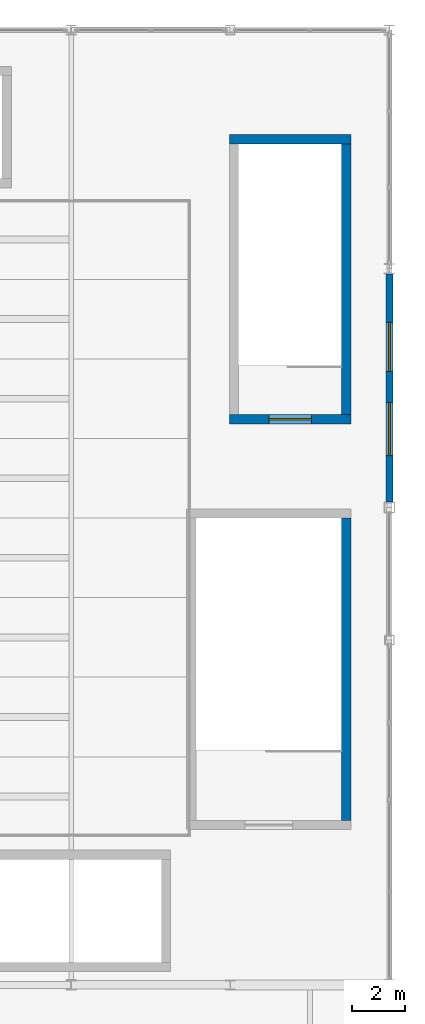
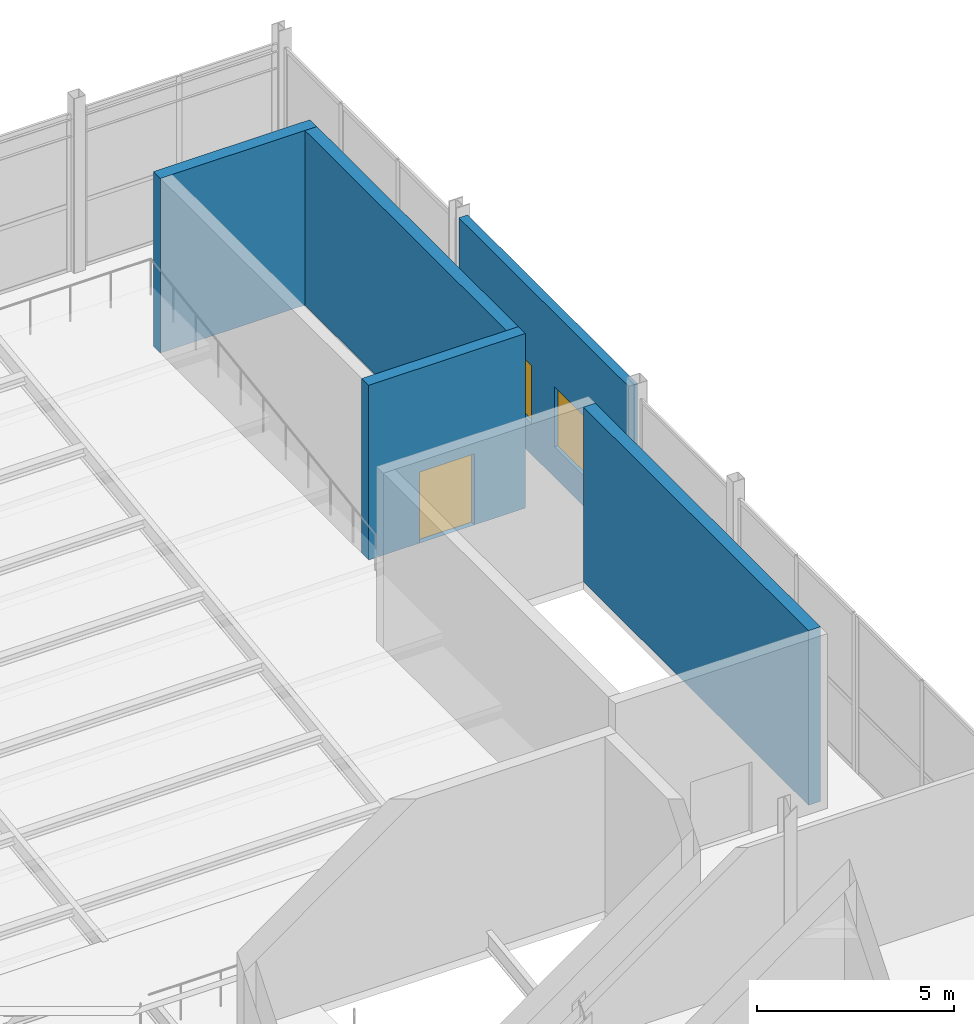
# One storey, part 96 of 119: 5 walls, 2 windows, 1 door, 3 openings.
"""IFC4 building model written with IfcOpenShell, lengths in metres."""

from ifc_helpers import new_model, si_unit, direction, frame, frame_2d, origin, place, context, subcontext, project, spatial, rectangle, extrude, material, layer, layer_set, type_object, element, fill, save


model = new_model("IFC4")

# Units and contexts
model_context = context("Model", 3, precision=1e-05, world=origin(), true_north=direction((0.0, 1.0)))
body_context = subcontext(model_context, "Body", "Model", "MODEL_VIEW")
ifc_project = project(units=[si_unit("LENGTHUNIT", "METRE"), si_unit("AREAUNIT", "SQUARE_METRE"), si_unit("VOLUMEUNIT", "CUBIC_METRE"), si_unit("PLANEANGLEUNIT", "RADIAN"), si_unit("MASSUNIT", "GRAM", prefix="KILO")], contexts=[model_context])

# Site, building, storey
site_placement = place(None, origin())
site = spatial("IfcSite", under=ifc_project, at=site_placement, CompositionType="ELEMENT")
building_placement = place(site_placement, origin())
building = spatial("IfcBuilding", under=site, at=building_placement, Name="Qamarlyn Nura Convention Centre", CompositionType="ELEMENT")
storey_placement = place(building_placement, frame((0.0, 0.0, 5.39990234375)))
storey = spatial("IfcBuildingStorey", under=building, at=storey_placement, Name="L01", CompositionType="ELEMENT", Elevation=5.39990234375)

# Wall
ifc_material_1 = material(Name="Concrete C50/60", Category="concrete")
ifc_layer_1 = layer(ifc_material_1, 0.35009765625, Name="WT-CORE-350")
ifc_layer_set_1 = layer_set([ifc_layer_1], Name="Concrete C50/60")
wall_type_1 = type_object("IfcWallType", Name="WT-CORE-350", PredefinedType="SHEAR", material=ifc_layer_set_1)
wall_1_placement = place(storey_placement, frame((190.375, 96.199951171875, 0.0), z_axis=(0.0, 0.0, 1.0), x_axis=(0.0, 1.0, 0.0)))
element("IfcWall", 1, at=wall_1_placement, inside=storey, type_object=wall_type_1, Name="L01 stair core shear wall ST-18-E", PredefinedType="SHEAR", context=body_context, shape_type="SweptSolid", body=[
    extrude(rectangle(XDim=11.400146484375, YDim=0.35009765625, at=frame_2d((5.7001953125, 0.0))), origin(), (0.0, 0.0, 1.0), 5.400146484375),
])

# Wall, opening, door
wall_2_placement = place(storey_placement, frame((185.969970703125, 111.324951171875, 0.0), z_axis=(0.0, 0.0, 1.0), x_axis=(1.0, 0.0, 0.0)))
wall_2 = element("IfcWall", 2, at=wall_2_placement, inside=storey, type_object=wall_type_1, Name="L01 stair core shear wall ST-VOM6-S", PredefinedType="SHEAR", context=body_context, shape_type="SweptSolid", body=[
    extrude(rectangle(XDim=4.580078125, YDim=0.35009765625, at=frame_2d((2.2900390625, 0.0))), origin(), (0.0, 0.0, 1.0), 5.400146484375),
])
opening_1_placement = place(wall_2_placement, frame((1.489990234375, 0.0, 0.0)))
opening_1 = element("IfcOpeningElement", 3, at=opening_1_placement, cuts=wall_2, Name="Opening DS-102", PredefinedType="OPENING", context=body_context, shape_type="SweptSolid", body=[
    extrude(rectangle(XDim=1.60009765625, YDim=2.199951171875, at=frame_2d((0.800048828125, 1.10009765625))), frame((0.0, 0.18505859375, 0.0), z_axis=(0.0, -1.0, 0.0), x_axis=(1.0, 0.0, 0.0)), (0.0, 0.0, 1.0), 0.3701171875),
])
ifc_material_2 = material(Name="Galvanised fire-rated hollow steel door", Category="steel")
door_type = type_object("IfcDoorType", Name="DR-STAIR-1600", OperationType="DOUBLE_DOOR_SINGLE_SWING", PredefinedType="DOOR", material=ifc_material_2)
door_placement = place(opening_1_placement, origin())
door = element("IfcDoor", 4, at=door_placement, inside=storey, type_object=door_type, Name="L01 exit stair door ST-VOM6 (DS-102)", OperationType="DOUBLE_DOOR_SINGLE_SWING", OverallHeight=2.199951171875, OverallWidth=1.60009765625, PredefinedType="DOOR", context=body_context, shape_type="SweptSolid", body=[
    extrude(rectangle(XDim=1.60009765625, YDim=2.199951171875, at=frame_2d((0.800048828125, 1.10009765625))), frame((0.0, 0.02490234375, 0.0), z_axis=(0.0, -1.0, 0.0), x_axis=(1.0, 0.0, 0.0)), (0.0, 0.0, 1.0), 0.050048828125),
])
fill(opening_1, door)

# Walls
wall_3_placement = place(storey_placement, frame((190.550048828125, 121.875, 0.0), z_axis=(0.0, 0.0, 1.0), x_axis=(-1.0, 0.0, 0.0)))
element("IfcWall", 5, at=wall_3_placement, inside=storey, type_object=wall_type_1, Name="L01 stair core shear wall ST-VOM6-N", PredefinedType="SHEAR", context=body_context, shape_type="SweptSolid", body=[
    extrude(rectangle(XDim=4.580078125, YDim=0.35009765625, at=frame_2d((2.2900390625, 0.0))), origin(), (0.0, 0.0, 1.0), 5.400146484375),
])
wall_4_placement = place(storey_placement, frame((190.375, 111.5, 0.0), z_axis=(0.0, 0.0, 1.0), x_axis=(0.0, 1.0, 0.0)))
element("IfcWall", 6, at=wall_4_placement, inside=storey, type_object=wall_type_1, Name="L01 stair core shear wall ST-VOM6-E", PredefinedType="SHEAR", context=body_context, shape_type="SweptSolid", body=[
    extrude(rectangle(XDim=10.199951171875, YDim=0.35009765625, at=frame_2d((5.10009765625, 0.0))), origin(), (0.0, 0.0, 1.0), 5.400146484375),
])

# Wall, openings, windows
ifc_material_3 = material(Name="Concrete C40/50", Category="concrete")
ifc_layer_2 = layer(ifc_material_3, 0.260009765625, Name="WT-EXT-260")
ifc_layer_set_2 = layer_set([ifc_layer_2], Name="Concrete C40/50")
wall_type_2 = type_object("IfcWallType", Name="WT-EXT-260", PredefinedType="SOLIDWALL", material=ifc_layer_set_2)
wall_5_placement = place(storey_placement, frame((192.0, 116.803466796875, 0.0), z_axis=(0.0, 0.0, 1.0), x_axis=(0.0, -1.0, 0.0)))
wall_5 = element("IfcWall", 7, at=wall_5_placement, inside=storey, type_object=wall_type_2, Name="L01 exterior facade wall WEXT-L01-1920-1168-1920-1082", PredefinedType="SOLIDWALL", context=body_context, shape_type="SweptSolid", body=[
    extrude(rectangle(XDim=8.603515625, YDim=0.260009765625, at=frame_2d((4.3017578125, 0.0))), origin(), (0.0, 0.0, 1.0), 5.085205078125),
])
opening_2_placement = place(wall_5_placement, frame((1.825927734375, 0.0, 0.949951171875)))
opening_2 = element("IfcOpeningElement", 8, at=opening_2_placement, cuts=wall_5, Name="Opening WN04", PredefinedType="OPENING", context=body_context, shape_type="SweptSolid", body=[
    extrude(rectangle(XDim=1.85009765625, YDim=1.800048828125, at=frame_2d((0.925048828125, 0.89990234375))), frame((0.0, 0.14013671875, 0.0), z_axis=(0.0, -1.0, 0.0), x_axis=(1.0, 0.0, 0.0)), (0.0, 0.0, 1.0), 0.280029296875),
])
opening_3_placement = place(wall_5_placement, frame((4.8525390625, 0.0, 0.949951171875)))
opening_3 = element("IfcOpeningElement", 9, at=opening_3_placement, cuts=wall_5, Name="Opening WN05", PredefinedType="OPENING", context=body_context, shape_type="SweptSolid", body=[
    extrude(rectangle(XDim=2.0, YDim=1.85009765625, at=frame_2d((1.0, 0.925048828125))), frame((0.0, 0.14013671875, 0.0), z_axis=(0.0, -1.0, 0.0), x_axis=(1.0, 0.0, 0.0)), (0.0, 0.0, 1.0), 0.280029296875),
])
ifc_material_4 = material(Name="Double-silver low-E insulated glass", Category="glass")
window_type_1 = type_object("IfcWindowType", Name="WIN-SOL-04", PartitioningType="SINGLE_PANEL", PredefinedType="WINDOW", material=ifc_material_4)
window_1_placement = place(opening_2_placement, origin())
window_1 = element("IfcWindow", 10, at=window_1_placement, inside=storey, type_object=window_type_1, Name="L01 solar-control window 028", OverallHeight=1.800048828125, OverallWidth=1.85009765625, PartitioningType="SINGLE_PANEL", PredefinedType="WINDOW", context=body_context, shape_type="SweptSolid", body=[
    extrude(rectangle(XDim=1.85009765625, YDim=1.800048828125, at=frame_2d((0.925048828125, 0.89990234375))), frame((0.0, 0.030029296875, 0.0), z_axis=(0.0, -1.0, 0.0), x_axis=(1.0, 0.0, 0.0)), (0.0, 0.0, 1.0), 0.06005859375),
])
fill(opening_2, window_1)
window_type_2 = type_object("IfcWindowType", Name="WIN-SOL-05", PartitioningType="SINGLE_PANEL", PredefinedType="WINDOW", material=ifc_material_4)
window_2_placement = place(opening_3_placement, origin())
window_2 = element("IfcWindow", 11, at=window_2_placement, inside=storey, type_object=window_type_2, Name="L01 solar-control window 029", OverallHeight=1.85009765625, OverallWidth=2.0, PartitioningType="SINGLE_PANEL", PredefinedType="WINDOW", context=body_context, shape_type="SweptSolid", body=[
    extrude(rectangle(XDim=2.0, YDim=1.85009765625, at=frame_2d((1.0, 0.925048828125))), frame((0.0, 0.030029296875, 0.0), z_axis=(0.0, -1.0, 0.0), x_axis=(1.0, 0.0, 0.0)), (0.0, 0.0, 1.0), 0.06005859375),
])
fill(opening_3, window_2)

save(model, "model.ifc")
